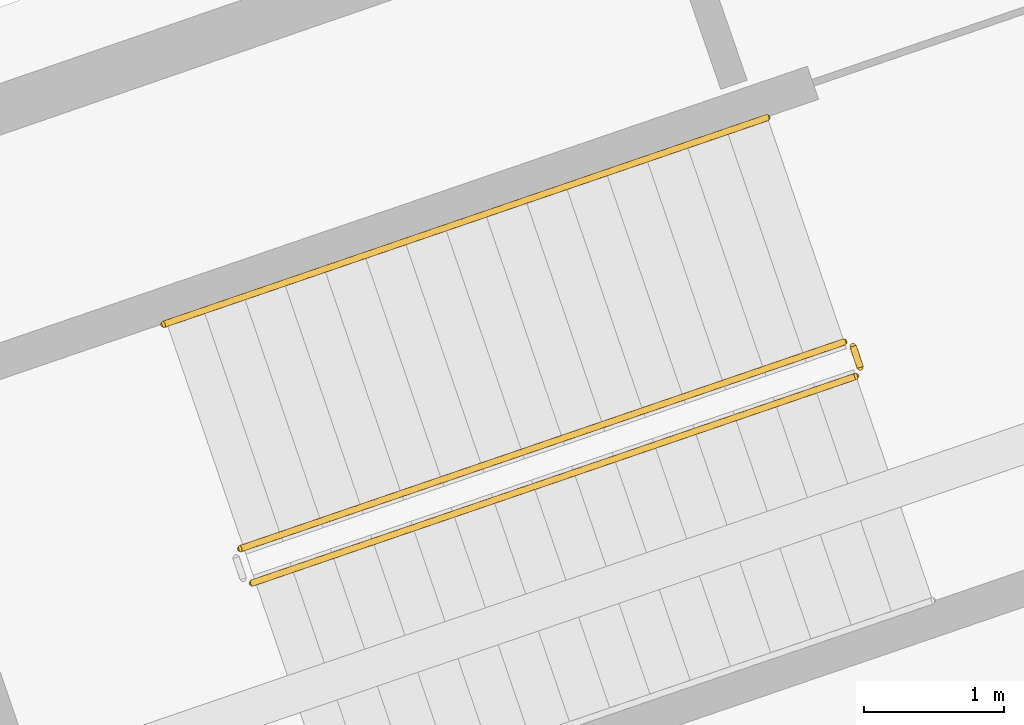
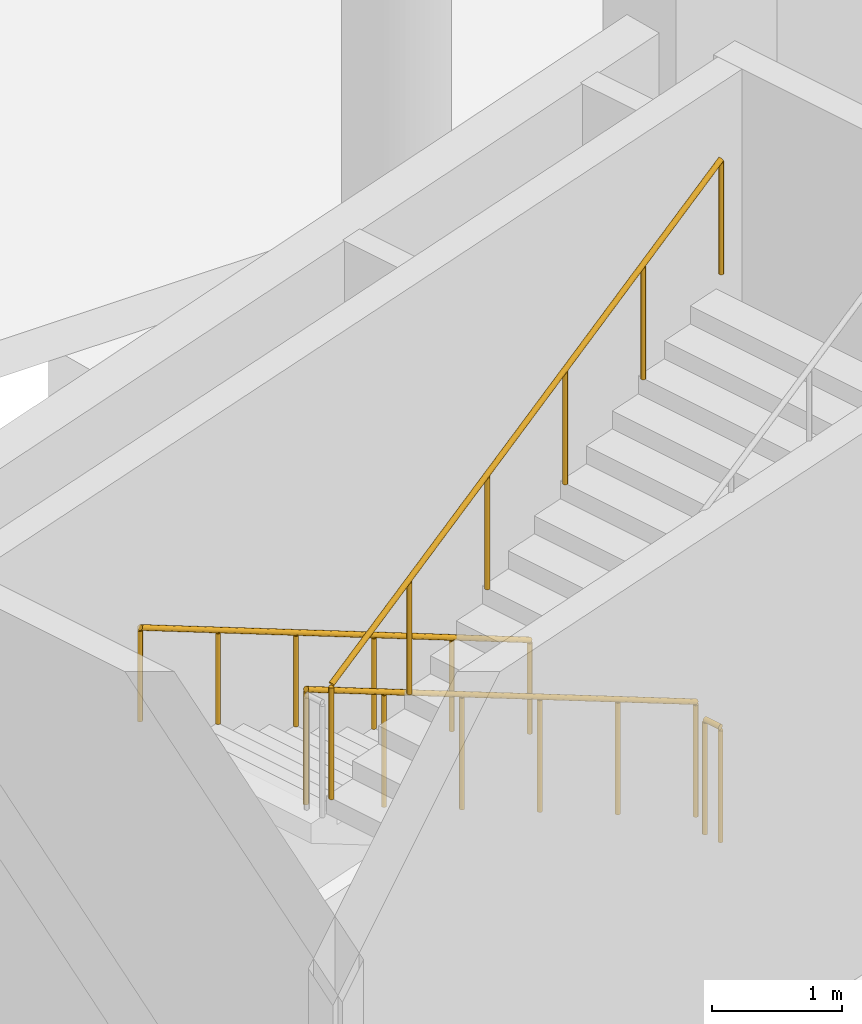
# One storey, part 93 of 103: 4 railings.
"""IFC4 building model written with IfcOpenShell, lengths in metres."""

from ifc_helpers import new_model, si_unit, direction, frame, origin, origin_2d, place, context, subcontext, project, spatial, circle, extrude, material, type_object, element, save


model = new_model("IFC4")

# Units and contexts
model_context = context("Model", 3, precision=1e-05, world=origin(), true_north=direction((0.0, 1.0)))
body_context = subcontext(model_context, "Body", "Model", "MODEL_VIEW")
ifc_project = project(units=[si_unit("LENGTHUNIT", "METRE"), si_unit("AREAUNIT", "SQUARE_METRE"), si_unit("VOLUMEUNIT", "CUBIC_METRE"), si_unit("PLANEANGLEUNIT", "RADIAN"), si_unit("MASSUNIT", "GRAM", prefix="KILO")], contexts=[model_context])

# Site, building, storey
site_placement = place(None, origin())
site = spatial("IfcSite", under=ifc_project, at=site_placement, CompositionType="ELEMENT")
building_placement = place(site_placement, origin())
building = spatial("IfcBuilding", under=site, at=building_placement, Name="Zevraka Park Crest Stadium", CompositionType="ELEMENT")
storey_placement = place(building_placement, origin())
storey = spatial("IfcBuildingStorey", under=building, at=storey_placement, Name="L00", CompositionType="ELEMENT", Elevation=0.0)

# Railings
ifc_material_1 = material(Name="Powder-coated tubular steel stairwell guard", Category="steel")
railing_type_1 = type_object("IfcRailingType", Name="GR03", PredefinedType="GUARDRAIL", material=ifc_material_1)
railing_1_placement = place(storey_placement, frame((85.98388671875, 160.0634765625, 0.168701171875)))
element("IfcRailing", 1, at=railing_1_placement, inside=storey, type_object=railing_type_1, Name="L00 ST08 stair guard 1", PredefinedType="GUARDRAIL", context=body_context, shape_type="SweptSolid", body=[
    extrude(circle(Radius=0.02392578125, at=origin_2d()), frame((0.0, 0.0, 1.076171875), z_axis=(-0.827816573081, -0.283471962049, 0.484110904716), x_axis=(0.323965495677, -0.946068896863, 0.0)), (0.0, 0.0, 1.0), 5.228759765625),
    extrude(circle(Radius=0.02099609375, at=origin_2d()), origin(), (0.0, 0.0, 1.0), 1.052001953125),
    extrude(circle(Radius=0.02099609375, at=origin_2d()), frame((-0.86572265625, -0.29638671875, 0.50634765625)), (0.0, 0.0, 1.0), 1.052001953125),
    extrude(circle(Radius=0.02099609375, at=origin_2d()), frame((-1.7314453125, -0.5927734375, 1.012451171875)), (0.0, 0.0, 1.0), 1.052001953125),
    extrude(circle(Radius=0.02099609375, at=origin_2d()), frame((-2.596923828125, -0.889404296875, 1.518798828125)), (0.0, 0.0, 1.0), 1.052001953125),
    extrude(circle(Radius=0.02099609375, at=origin_2d()), frame((-3.462646484375, -1.185791015625, 2.02490234375)), (0.0, 0.0, 1.0), 1.052001953125),
    extrude(circle(Radius=0.02099609375, at=origin_2d()), frame((-4.328369140625, -1.482177734375, 2.53125)), (0.0, 0.0, 1.0), 1.052001953125),
])
railing_2_placement = place(storey_placement, frame((81.73974609375, 158.335205078125, 2.86865234375)))
element("IfcRailing", 2, at=railing_2_placement, inside=storey, type_object=railing_type_1, Name="L00 ST08 stair guard 3", PredefinedType="GUARDRAIL", context=body_context, shape_type="SweptSolid", body=[
    extrude(circle(Radius=0.02392578125, at=origin_2d()), frame((0.0, 0.0, 1.076171875), z_axis=(0.827816573081, 0.283471962049, 0.484110904716), x_axis=(-0.323965495677, 0.946068896863, 0.0)), (0.0, 0.0, 1.0), 5.228759765625),
    extrude(circle(Radius=0.02099609375, at=origin_2d()), origin(), (0.0, 0.0, 1.0), 1.052001953125),
    extrude(circle(Radius=0.02099609375, at=origin_2d()), frame((0.86572265625, 0.29638671875, 0.50634765625)), (0.0, 0.0, 1.0), 1.052001953125),
    extrude(circle(Radius=0.02099609375, at=origin_2d()), frame((1.7314453125, 0.5927734375, 1.012451171875)), (0.0, 0.0, 1.0), 1.052001953125),
    extrude(circle(Radius=0.02099609375, at=origin_2d()), frame((2.596923828125, 0.889404296875, 1.518798828125)), (0.0, 0.0, 1.0), 1.052001953125),
    extrude(circle(Radius=0.02099609375, at=origin_2d()), frame((3.462646484375, 1.185791015625, 2.02490234375)), (0.0, 0.0, 1.0), 1.052001953125),
    extrude(circle(Radius=0.02099609375, at=origin_2d()), frame((4.328369140625, 1.482177734375, 2.53125)), (0.0, 0.0, 1.0), 1.052001953125),
])
railing_3_placement = place(storey_placement, frame((86.04736328125, 160.0322265625, 0.0)))
element("IfcRailing", 3, at=railing_3_placement, inside=storey, type_object=railing_type_1, Name="L00 ST08 stair guard 4", PredefinedType="GUARDRAIL", context=body_context, shape_type="SweptSolid", body=[
    extrude(circle(Radius=0.02392578125, at=origin_2d()), frame((0.0, 0.0, 1.076171875), z_axis=(0.32354385955, -0.946213174156, 0.0), x_axis=(0.946213174156, 0.32354385955, 0.0)), (0.0, 0.0, 1.0), 0.159912109375),
    extrude(circle(Radius=0.02099609375, at=origin_2d()), origin(), (0.0, 0.0, 1.0), 1.052001953125),
    extrude(circle(Radius=0.02099609375, at=origin_2d()), frame((0.0517578125, -0.1513671875, 0.0)), (0.0, 0.0, 1.0), 1.052001953125),
])
ifc_material_2 = material(Name="Brushed stainless steel continuous handrail", Category="steel")
railing_type_2 = type_object("IfcRailingType", Name="HR01", PredefinedType="HANDRAIL", material=ifc_material_2)
railing_4_placement = place(storey_placement, frame((85.43310546875, 161.671875, 0.168701171875)))
element("IfcRailing", 4, at=railing_4_placement, inside=storey, type_object=railing_type_2, Name="L00 ST08 stair handrail 1", PredefinedType="HANDRAIL", context=body_context, shape_type="SweptSolid", body=[
    extrude(circle(Radius=0.02392578125, at=origin_2d()), frame((0.0, 0.0, 0.8759765625), z_axis=(-0.827816573081, -0.283471962049, 0.484110904716), x_axis=(0.323965495677, -0.946068896863, 0.0)), (0.0, 0.0, 1.0), 5.228759765625),
    extrude(circle(Radius=0.02099609375, at=origin_2d()), origin(), (0.0, 0.0, 1.0), 0.851806640625),
    extrude(circle(Radius=0.02099609375, at=origin_2d()), frame((-0.86572265625, -0.29638671875, 0.50634765625)), (0.0, 0.0, 1.0), 0.851806640625),
    extrude(circle(Radius=0.02099609375, at=origin_2d()), frame((-1.7314453125, -0.5927734375, 1.012451171875)), (0.0, 0.0, 1.0), 0.851806640625),
    extrude(circle(Radius=0.02099609375, at=origin_2d()), frame((-2.596923828125, -0.889404296875, 1.518798828125)), (0.0, 0.0, 1.0), 0.851806640625),
    extrude(circle(Radius=0.02099609375, at=origin_2d()), frame((-3.462646484375, -1.185791015625, 2.02490234375)), (0.0, 0.0, 1.0), 0.851806640625),
    extrude(circle(Radius=0.02099609375, at=origin_2d()), frame((-4.328369140625, -1.482177734375, 2.53125)), (0.0, 0.0, 1.0), 0.851806640625),
])

save(model, "model.ifc")
